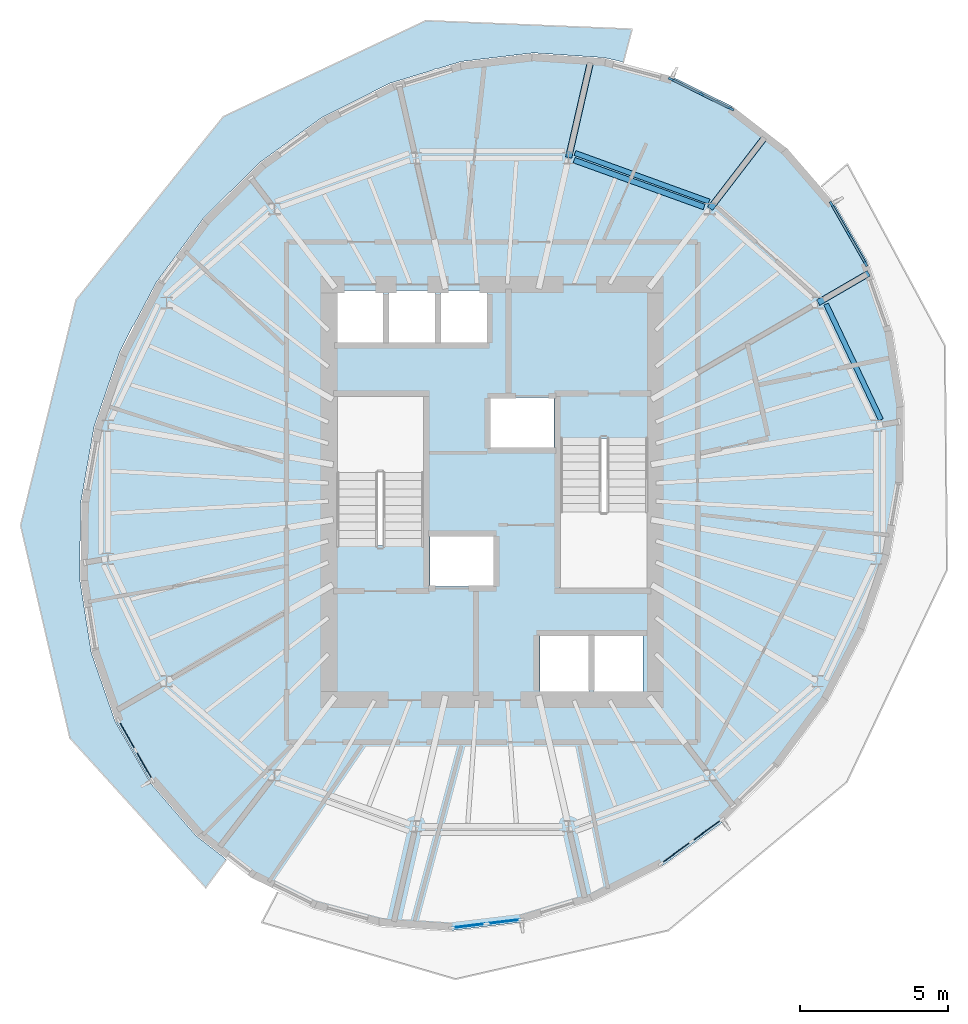
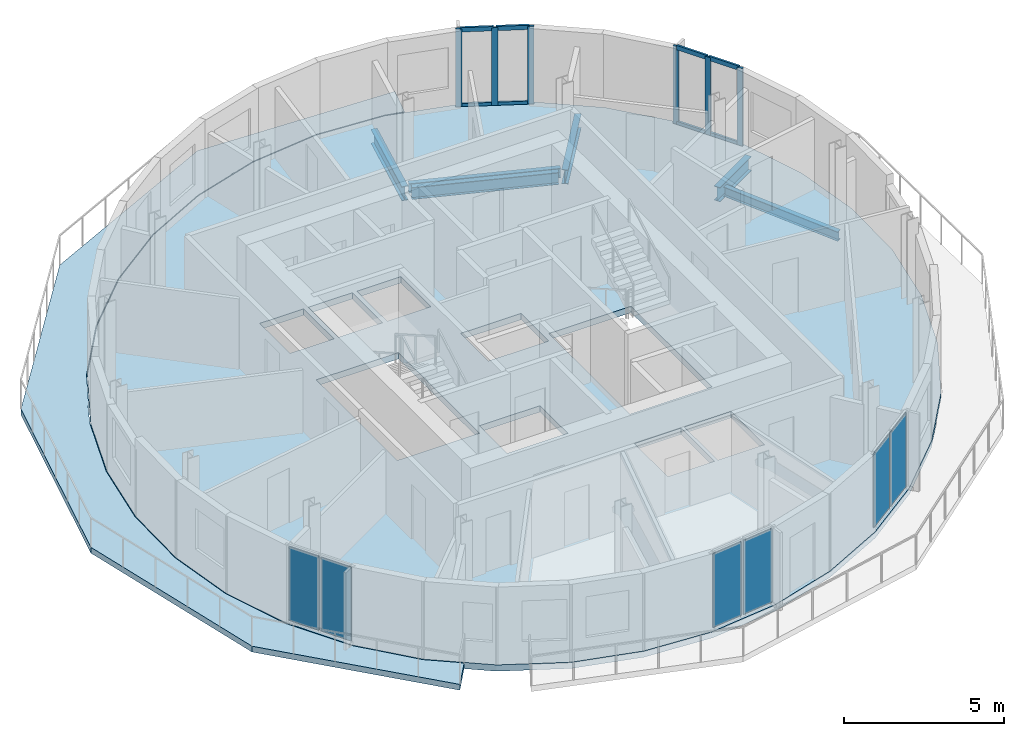
# One storey, part 3 of 9: 14 members, 6 beams, 6 plates, 2 slabs, 5 elements without a shape of their own.
"""IFC4 building model written with IfcOpenShell, lengths in metres."""

import ifcopenshell
import ifcopenshell.guid

model = None  # the IFC model being written
_history = None  # IfcOwnerHistory: only IFC2X3 demands one
_inside = {}  # id of a spatial element -> (the spatial element, [elements in it])
_under = {}  # id of a project, library or spatial element -> (it, [spatial elements below it])
_declared = {}  # id of a project -> (the project, [libraries it declares])
_typed = {}  # id of a type object -> (the type object, [elements of that type])
_made_of = {}  # id of a material, layer set ... -> (it, [elements and type objects made of it])


def new_model(schema):
    """Start an empty IFC model of exactly this schema.

    Asked for "IFC4X3", IfcOpenShell would pick the latest addendum, in which some entities
    have other attributes; the version numbers below select the first issue.
    IFC2X3 requires an IfcOwnerHistory on every rooted entity: one is made here for all.
    """
    global model, _history
    if schema == "IFC4X3":
        model = ifcopenshell.file(schema_version=(4, 3, 0, 0))
    else:
        model = ifcopenshell.file(schema=schema)
    _inside.clear()
    _under.clear()
    _declared.clear()
    _typed.clear()
    _made_of.clear()
    _history = None
    if model.schema == "IFC2X3":
        org = make("IfcOrganization", Name="unknown")
        user = make(
            "IfcPersonAndOrganization",
            ThePerson=make("IfcPerson", FamilyName="unknown"),
            TheOrganization=org,
        )
        app = make(
            "IfcApplication",
            ApplicationDeveloper=org,
            Version="unknown",
            ApplicationFullName="unknown",
            ApplicationIdentifier="unknown",
        )
        _history = make(
            "IfcOwnerHistory",
            OwningUser=user,
            OwningApplication=app,
            ChangeAction="ADDED",
            CreationDate=0,
        )
    return model


def make(cls, **values):
    """One entity of the class cls with the attributes given. An attribute that is None is left unset."""
    return model.create_entity(
        cls, **{name: value for name, value in values.items() if value is not None}
    )


def rooted(cls, **values):
    """An entity with a GlobalId (a new one), such as an element, a storey or a relation."""
    return make(cls, GlobalId=ifcopenshell.guid.new(), OwnerHistory=_history, **values)


def si_unit(unit_type, name, prefix=None):
    """IfcSIUnit, for example si_unit("LENGTHUNIT", "METRE", prefix="MILLI")."""
    return make("IfcSIUnit", UnitType=unit_type, Prefix=prefix, Name=name)


def assignment(units):
    """IfcUnitAssignment: the units of a project."""
    return None if units is None else make("IfcUnitAssignment", Units=units)


def point(xyz):
    """IfcCartesianPoint."""
    return None if xyz is None else make("IfcCartesianPoint", Coordinates=xyz)


def direction(xyz):
    """IfcDirection."""
    return None if xyz is None else make("IfcDirection", DirectionRatios=xyz)


def frame(location, z_axis=None, x_axis=None):
    """IfcAxis2Placement3D, a coordinate frame: its origin and axes. An axis left out is left unset."""
    return make(
        "IfcAxis2Placement3D",
        Location=point(location),
        Axis=direction(z_axis),
        RefDirection=direction(x_axis),
    )


def frame_2d(location, x_axis=None):
    """IfcAxis2Placement2D, a coordinate frame in the plane: its origin and x axis."""
    return make(
        "IfcAxis2Placement2D", Location=point(location), RefDirection=direction(x_axis)
    )


def origin():
    """The frame at (0, 0, 0) with its axes left unset."""
    return frame((0.0, 0.0, 0.0))


def origin_2d():
    """The frame at (0, 0) in the plane with its x axis left unset."""
    return frame_2d((0.0, 0.0))


def place(relative_to, where):
    """IfcLocalPlacement: puts the frame where relative to a parent placement (None: the world)."""
    return make(
        "IfcLocalPlacement", PlacementRelTo=relative_to, RelativePlacement=where
    )


def context(
    kind, dimensions, precision=None, world=None, true_north=None, identifier=None
):
    """IfcGeometricRepresentationContext, for example the 3D "Model" context."""
    return make(
        "IfcGeometricRepresentationContext",
        ContextIdentifier=identifier,
        ContextType=kind,
        CoordinateSpaceDimension=dimensions,
        Precision=precision,
        WorldCoordinateSystem=world,
        TrueNorth=true_north,
    )


def subcontext(parent, identifier, kind, view, scale=None):
    """IfcGeometricRepresentationSubContext, for example "Body" below "Model"."""
    return make(
        "IfcGeometricRepresentationSubContext",
        ContextIdentifier=identifier,
        ContextType=kind,
        ParentContext=parent,
        TargetScale=scale,
        TargetView=view,
    )


def project(units=None, contexts=None):
    """IfcProject with its units and contexts."""
    return rooted(
        "IfcProject",
        Name="project",
        RepresentationContexts=contexts,
        UnitsInContext=assignment(units),
    )


def spatial(cls, under=None, at=None, **own):
    """A site, building, storey or space (cls), placed at a placement, below another one or the project."""
    s = rooted(cls, ObjectPlacement=at, **own)
    if under is not None:
        _under.setdefault(under.id(), (under, []))[1].append(s)
    return s


def polyline(points):
    """IfcPolyline through the points."""
    return make("IfcPolyline", Points=[point(p) for p in points])


def profile(cls, at=None, kind="AREA", **sizes):
    """A parametric profile (cls). Its sizes go by their IFC names, for example OverallWidth=200.0."""
    return make(cls, ProfileType=kind, Position=at, **sizes)


def rectangle(**sizes):
    """IfcRectangleProfileDef."""
    return profile("IfcRectangleProfileDef", **sizes)


def i_section(**sizes):
    """IfcIShapeProfileDef."""
    return profile("IfcIShapeProfileDef", **sizes)


def outline(outer, holes=None, kind="AREA"):
    """IfcArbitraryClosedProfileDef: a profile drawn as a closed curve; with holes, ...WithVoids."""
    if holes is None:
        return make("IfcArbitraryClosedProfileDef", ProfileType=kind, OuterCurve=outer)
    return make(
        "IfcArbitraryProfileDefWithVoids",
        ProfileType=kind,
        OuterCurve=outer,
        InnerCurves=holes,
    )


def extrude(swept, where, along, depth):
    """IfcExtrudedAreaSolid: the profile swept, set in the frame where, extruded along a direction by depth."""
    return make(
        "IfcExtrudedAreaSolid",
        SweptArea=swept,
        Position=where,
        ExtrudedDirection=direction(along),
        Depth=depth,
    )


def shape(context_of_items, identifier, shape_type, items):
    """IfcShapeRepresentation: the items that make up one representation, for example the "Body"."""
    return make(
        "IfcShapeRepresentation",
        ContextOfItems=context_of_items,
        RepresentationIdentifier=identifier,
        RepresentationType=shape_type,
        Items=items,
    )


def material(Name=None, Category=None):
    """IfcMaterial."""
    return make("IfcMaterial", Name=Name, Category=Category)


def layer(
    of_material, thickness, ventilated=None, Name=None, Category=None, Priority=None
):
    """IfcMaterialLayer: one layer of a wall or slab, of a material (None: an air gap)."""
    return make(
        "IfcMaterialLayer",
        Material=of_material,
        LayerThickness=thickness,
        IsVentilated=ventilated,
        Name=Name,
        Category=Category,
        Priority=Priority,
    )


def layer_set(layers, Name=None):
    """IfcMaterialLayerSet."""
    return make("IfcMaterialLayerSet", MaterialLayers=layers, LayerSetName=Name)


def material_profile(
    of_material, cross_section, Name=None, Category=None, Priority=None
):
    """IfcMaterialProfile: a cross section and its material."""
    return make(
        "IfcMaterialProfile",
        Name=Name,
        Material=of_material,
        Profile=cross_section,
        Priority=Priority,
        Category=Category,
    )


def profile_set(profiles, Name=None, composite=None):
    """IfcMaterialProfileSet."""
    return make(
        "IfcMaterialProfileSet",
        Name=Name,
        MaterialProfiles=profiles,
        CompositeProfile=composite,
    )


def made_of(thing, what):
    """Note that an element or type object is made of a material, layer set ...; save() writes the relation."""
    if what is not None:
        _made_of.setdefault(what.id(), (what, []))[1].append(thing)
    return thing


def type_object(cls, material=None, **own):
    """A type object (cls), such as IfcWallType, which elements share."""
    return made_of(rooted(cls, **own), material)


def element(
    cls,
    number,
    at=None,
    inside=None,
    cuts=None,
    type_object=None,
    material=None,
    context=None,
    identifier="Body",
    shape_type=None,
    held_by="IfcProductDefinitionShape",
    body=None,
    shapes=None,
    **own,
):
    """One element of the class cls, such as IfcWall. Its Tag is "e" and its number.

    at: its placement. inside: the storey or other place that contains it. cuts: it is an
    opening in that element (IfcRelVoidsElement). A single representation is given by context,
    identifier, shape_type and body (its items); several are given by shapes. held_by: the class
    of the entity that holds the representations. save() writes the other relations.
    """
    e = rooted(cls, Tag="e%d" % number, ObjectPlacement=at, **own)
    if body is not None:
        shapes = [shape(context, identifier, shape_type, body)]
    if shapes is not None:
        e.Representation = make(held_by, Representations=shapes)
    if inside is not None:
        _inside.setdefault(inside.id(), (inside, []))[1].append(e)
    if cuts is not None:
        rooted(
            "IfcRelVoidsElement", RelatingBuildingElement=cuts, RelatedOpeningElement=e
        )
    if type_object is not None:
        _typed.setdefault(type_object.id(), (type_object, []))[1].append(e)
    return made_of(e, material)


def aggregate(whole, parts):
    """IfcRelAggregates: a whole, such as a stair, and the parts it consists of."""
    return rooted("IfcRelAggregates", RelatingObject=whole, RelatedObjects=parts)


def save(model, path):
    """Write the relations noted so far, then the file.

    IfcRelAggregates (storeys below a building ...), IfcRelContainedInSpatialStructure (elements
    in a storey), IfcRelDefinesByType, IfcRelAssociatesMaterial and IfcRelDeclares: one each for
    every whole, place, type object, material and project.
    """
    for whole, parts in _under.values():
        aggregate(whole, parts)
    for where, things in _inside.values():
        rooted(
            "IfcRelContainedInSpatialStructure",
            RelatedElements=things,
            RelatingStructure=where,
        )
    for kind, things in _typed.values():
        rooted("IfcRelDefinesByType", RelatedObjects=things, RelatingType=kind)
    for what, things in _made_of.values():
        rooted("IfcRelAssociatesMaterial", RelatedObjects=things, RelatingMaterial=what)
    for by, libraries in _declared.values():
        rooted("IfcRelDeclares", RelatingContext=by, RelatedDefinitions=libraries)
    model.write(path)


model = new_model("IFC4")

# Units and contexts
model_context = context("Model", 3, precision=1e-05, world=origin(), true_north=direction((0.0, 1.0)))
body_context = subcontext(model_context, "Body", "Model", "MODEL_VIEW")
ifc_project = project(units=[si_unit("LENGTHUNIT", "METRE"), si_unit("AREAUNIT", "SQUARE_METRE"), si_unit("VOLUMEUNIT", "CUBIC_METRE"), si_unit("PLANEANGLEUNIT", "RADIAN"), si_unit("MASSUNIT", "GRAM", prefix="KILO")], contexts=[model_context])

# Site, building, storey
site_placement = place(None, origin())
site = spatial("IfcSite", under=ifc_project, at=site_placement, CompositionType="ELEMENT")
building_placement = place(site_placement, origin())
building = spatial("IfcBuilding", under=site, at=building_placement, Name="Veldorim Arch Residences", CompositionType="ELEMENT")
storey_placement = place(building_placement, frame((0.0, 0.0, 230.239990234375)))
storey = spatial("IfcBuildingStorey", under=building, at=storey_placement, Name="L69", CompositionType="ELEMENT", Elevation=230.239990234375)

# Beams
ifc_material_1 = material(Name="Steel S355", Category="steel")
ifc_material_profile_1 = material_profile(ifc_material_1, i_section(OverallWidth=0.2119140625, OverallDepth=0.54443359375, WebThickness=0.0126953125, FlangeThickness=0.021240234375, at=origin_2d()), Name="UB533x210x122")
ifc_profile_set_1 = profile_set([ifc_material_profile_1], Name="Steel S355")
beam_type_1 = type_object("IfcBeamType", Name="Structural Steel Beam UB533x210x122", PredefinedType="BEAM", material=ifc_profile_set_1)
beam_1_placement = place(storey_placement, frame((42.99267578125, 30.387939453125, -0.51220703125), z_axis=(0.864644868068, 0.502383570714, 0.0), x_axis=(-0.502383570714, 0.864644868068, 0.0)))
element("IfcBeam", 1, at=beam_1_placement, inside=storey, type_object=beam_type_1, Name="L69 radial edge cantilever girder 02", PredefinedType="BEAM", context=body_context, shape_type="SweptSolid", body=[
    extrude(i_section(OverallWidth=0.2119140625, OverallDepth=0.54443359375, WebThickness=0.0126953125, FlangeThickness=0.021240234375, at=origin_2d()), origin(), (0.0, 0.0, 1.0), 1.970703125),
])
beam_2_placement = place(storey_placement, frame((39.345703125, 33.561279296875, -0.51220703125), z_axis=(0.609263326719, 0.792967968278, 0.0), x_axis=(-0.792967968278, 0.609263326719, 0.0)))
element("IfcBeam", 2, at=beam_2_placement, inside=storey, type_object=beam_type_1, Name="L69 radial edge cantilever girder 03", PredefinedType="BEAM", context=body_context, shape_type="SweptSolid", body=[
    extrude(i_section(OverallWidth=0.2119140625, OverallDepth=0.54443359375, WebThickness=0.0126953125, FlangeThickness=0.021240234375, at=origin_2d()), origin(), (0.0, 0.0, 1.0), 3.0859375),
])
beam_3_placement = place(storey_placement, frame((34.57958984375, 35.27880859375, -0.51220703125), z_axis=(0.222994562623, 0.974819688476, 0.0), x_axis=(-0.974819688476, 0.222994562623, 0.0)))
element("IfcBeam", 3, at=beam_3_placement, inside=storey, type_object=beam_type_1, Name="L69 radial edge cantilever girder 04", PredefinedType="BEAM", context=body_context, shape_type="SweptSolid", body=[
    extrude(i_section(OverallWidth=0.2119140625, OverallDepth=0.54443359375, WebThickness=0.0126953125, FlangeThickness=0.021240234375, at=origin_2d()), origin(), (0.0, 0.0, 1.0), 3.280029296875),
])
ifc_material_2 = material(Name="Steel S355", Category="steel")
ifc_material_profile_2 = material_profile(ifc_material_2, i_section(OverallWidth=0.172119140625, OverallDepth=0.35791015625, WebThickness=0.008056640625, FlangeThickness=0.012939453125, at=origin_2d()), Name="UB356x171x57")
ifc_profile_set_2 = profile_set([ifc_material_profile_2], Name="Steel S355")
beam_type_2 = type_object("IfcBeamType", Name="Structural Steel Spandrel UB356x171x57", PredefinedType="SPANDREL", material=ifc_profile_set_2)
beam_4_placement = place(storey_placement, frame((45.107666015625, 26.439208984375, -0.43896484375), z_axis=(-0.428453398876, 0.903563879862, 0.0), x_axis=(-0.903563879862, -0.428453398876, 0.0)))
element("IfcBeam", 4, at=beam_4_placement, inside=storey, type_object=beam_type_2, Name="L69 perimeter chord spandrel beam 01", PredefinedType="SPANDREL", context=body_context, shape_type="SweptSolid", body=[
    extrude(i_section(OverallWidth=0.172119140625, OverallDepth=0.35791015625, WebThickness=0.008056640625, FlangeThickness=0.012939453125, at=origin_2d()), origin(), (0.0, 0.0, 1.0), 4.31689453125),
])
beam_5_placement = place(storey_placement, frame((39.314697265625, 33.79541015625, -0.43896484375), z_axis=(-0.940181197783, 0.340674794099, 0.0), x_axis=(-0.340674794099, -0.940181197783, 0.0)))
element("IfcBeam", 5, at=beam_5_placement, inside=storey, type_object=beam_type_2, Name="L69 perimeter chord spandrel beam 03", PredefinedType="SPANDREL", context=body_context, shape_type="SweptSolid", body=[
    extrude(i_section(OverallWidth=0.172119140625, OverallDepth=0.35791015625, WebThickness=0.008056640625, FlangeThickness=0.012939453125, at=origin_2d()), origin(), (0.0, 0.0, 1.0), 4.80859375),
])
ifc_material_3 = material(Name="Steel S355", Category="steel")
ifc_material_profile_3 = material_profile(ifc_material_3, i_section(OverallWidth=0.19140625, OverallDepth=0.4599609375, WebThickness=0.010009765625, FlangeThickness=0.01611328125, at=origin_2d()), Name="UB457x191x82")
ifc_profile_set_3 = profile_set([ifc_material_profile_3], Name="Steel S355")
beam_type_3 = type_object("IfcBeamType", Name="Structural Steel Spandrel UB457x191x82", PredefinedType="SPANDREL", material=ifc_profile_set_3)
beam_6_placement = place(storey_placement, frame((39.145751953125, 33.61279296875, -0.469970703125), z_axis=(-0.940799194754, 0.338964415757, 0.0), x_axis=(-0.338964415757, -0.940799194754, 0.0)))
element("IfcBeam", 6, at=beam_6_placement, inside=storey, type_object=beam_type_3, Name="L69 perimeter ring tie beam 03", PredefinedType="SPANDREL", context=body_context, shape_type="SweptSolid", body=[
    extrude(i_section(OverallWidth=0.19140625, OverallDepth=0.4599609375, WebThickness=0.010009765625, FlangeThickness=0.01611328125, at=origin_2d()), origin(), (0.0, 0.0, 1.0), 4.65869140625),
])

# Curtain wall, members
ifc_material_4 = material(Name="Aluminium", Category="aluminium")
curtain_wall_type = type_object("IfcCurtainWallType", Name="Zone 4 High-Altitude Unitised Curtain Wall", PredefinedType="NOTDEFINED", material=ifc_material_4)
curtain_wall_1_placement = place(storey_placement, origin())
curtain_wall_1 = element("IfcCurtainWall", 7, at=curtain_wall_1_placement, inside=storey, type_object=curtain_wall_type, Name="L69 unitised curtain wall bay 01", PredefinedType="NOTDEFINED")
ifc_material_5 = material(Name="Aluminium", Category="aluminium")
ifc_material_profile_4 = material_profile(ifc_material_5, rectangle(XDim=0.074951171875, YDim=0.195068359375, at=origin_2d()), Name="ALU_MUL_75x195")
ifc_profile_set_4 = profile_set([ifc_material_profile_4], Name="Aluminium")
member_type_1 = type_object("IfcMemberType", Name="Zone 4 High-Altitude Unitised Curtain Wall Mullion 75x195", PredefinedType="MULLION", material=ifc_profile_set_4)
member_1_placement = place(storey_placement, frame((38.037109375, 37.9189453125, 0.0), z_axis=(0.0, 0.0, 1.0), x_axis=(0.442992925285, 0.896525107372, 0.0)))
member_1 = element("IfcMember", 8, at=member_1_placement, type_object=member_type_1, Name="CW-Z4 mullion 1", PredefinedType="MULLION", context=body_context, shape_type="SweptSolid", body=[
    extrude(rectangle(XDim=0.074951171875, YDim=0.195068359375, at=origin_2d()), origin(), (0.0, 0.0, 1.0), 2.9599609375),
])
member_2_placement = place(storey_placement, frame((39.04541015625, 37.420654296875, 0.0), z_axis=(0.0, 0.0, 1.0), x_axis=(0.442992925285, 0.896525107372, 0.0)))
member_2 = element("IfcMember", 9, at=member_2_placement, type_object=member_type_1, Name="CW-Z4 mullion 2", PredefinedType="MULLION", context=body_context, shape_type="SweptSolid", body=[
    extrude(rectangle(XDim=0.074951171875, YDim=0.195068359375, at=origin_2d()), origin(), (0.0, 0.0, 1.0), 2.9599609375),
])
member_3_placement = place(storey_placement, frame((40.053955078125, 36.92236328125, 0.0), z_axis=(0.0, 0.0, 1.0), x_axis=(0.442992925285, 0.896525107372, 0.0)))
member_3 = element("IfcMember", 10, at=member_3_placement, type_object=member_type_1, Name="CW-Z4 mullion 3", PredefinedType="MULLION", context=body_context, shape_type="SweptSolid", body=[
    extrude(rectangle(XDim=0.074951171875, YDim=0.195068359375, at=origin_2d()), origin(), (0.0, 0.0, 1.0), 2.9599609375),
])

curtain_wall_2_placement = place(storey_placement, origin())
curtain_wall_2 = element("IfcCurtainWall", 11, at=curtain_wall_2_placement, inside=storey, type_object=curtain_wall_type, Name="L69 unitised curtain wall bay 34", PredefinedType="NOTDEFINED")
member_4_placement = place(storey_placement, frame((43.439697265625, 33.709228515625, 0.0), z_axis=(0.0, 0.0, 1.0), x_axis=(0.868165815249, 0.496274235915, 0.0)))
member_4 = element("IfcMember", 12, at=member_4_placement, type_object=member_type_1, Name="CW-Z4 mullion 1", PredefinedType="MULLION", context=body_context, shape_type="SweptSolid", body=[
    extrude(rectangle(XDim=0.074951171875, YDim=0.195068359375, at=origin_2d()), origin(), (0.0, 0.0, 1.0), 2.9599609375),
])
member_5_placement = place(storey_placement, frame((44.013427734375, 32.705078125, 0.0), z_axis=(0.0, 0.0, 1.0), x_axis=(0.868165815249, 0.496274235915, 0.0)))
member_5 = element("IfcMember", 13, at=member_5_placement, type_object=member_type_1, Name="CW-Z4 mullion 2", PredefinedType="MULLION", context=body_context, shape_type="SweptSolid", body=[
    extrude(rectangle(XDim=0.074951171875, YDim=0.195068359375, at=origin_2d()), origin(), (0.0, 0.0, 1.0), 2.9599609375),
])
member_6_placement = place(storey_placement, frame((44.58740234375, 31.701171875, 0.0), z_axis=(0.0, 0.0, 1.0), x_axis=(0.868165815249, 0.496274235915, 0.0)))
member_6 = element("IfcMember", 14, at=member_6_placement, type_object=member_type_1, Name="CW-Z4 mullion 3", PredefinedType="MULLION", context=body_context, shape_type="SweptSolid", body=[
    extrude(rectangle(XDim=0.074951171875, YDim=0.195068359375, at=origin_2d()), origin(), (0.0, 0.0, 1.0), 2.9599609375),
])

# Member
ifc_material_6 = material(Name="Aluminium", Category="aluminium")
ifc_material_profile_5 = material_profile(ifc_material_6, rectangle(XDim=0.074951171875, YDim=0.1650390625, at=origin_2d()), Name="ALU_TRN_75x165")
ifc_profile_set_5 = profile_set([ifc_material_profile_5], Name="Aluminium")
member_type_2 = type_object("IfcMemberType", Name="Zone 4 High-Altitude Unitised Curtain Wall Transom 75x165", PredefinedType="USERDEFINED", material=ifc_profile_set_5)
member_7_placement = place(storey_placement, frame((38.070556640625, 37.90234375, 0.03759765625), z_axis=(0.896510415752, -0.443022656811, 0.0), x_axis=(0.443022656811, 0.896510415752, 0.0)))
member_7 = element("IfcMember", 15, at=member_7_placement, type_object=member_type_2, Name="CW-Z4 transom 1.1", ObjectType="TRANSOM", PredefinedType="USERDEFINED", context=body_context, shape_type="SweptSolid", body=[
    extrude(rectangle(XDim=0.074951171875, YDim=0.1650390625, at=origin_2d()), origin(), (0.0, 0.0, 1.0), 1.0498046875),
])

member_8_placement = place(storey_placement, frame((38.070556640625, 37.90234375, 2.922607421875), z_axis=(0.896510415752, -0.443022656811, 0.0), x_axis=(0.443022656811, 0.896510415752, 0.0)))
member_8 = element("IfcMember", 16, at=member_8_placement, type_object=member_type_2, Name="CW-Z4 transom 1.2", ObjectType="TRANSOM", PredefinedType="USERDEFINED", context=body_context, shape_type="SweptSolid", body=[
    extrude(rectangle(XDim=0.074951171875, YDim=0.1650390625, at=origin_2d()), origin(), (0.0, 0.0, 1.0), 1.0498046875),
])

member_9_placement = place(storey_placement, frame((39.0791015625, 37.404052734375, 0.03759765625), z_axis=(0.896510415752, -0.443022656811, 0.0), x_axis=(0.443022656811, 0.896510415752, 0.0)))
member_9 = element("IfcMember", 17, at=member_9_placement, type_object=member_type_2, Name="CW-Z4 transom 2.1", ObjectType="TRANSOM", PredefinedType="USERDEFINED", context=body_context, shape_type="SweptSolid", body=[
    extrude(rectangle(XDim=0.074951171875, YDim=0.1650390625, at=origin_2d()), origin(), (0.0, 0.0, 1.0), 1.0498046875),
])

member_10_placement = place(storey_placement, frame((39.0791015625, 37.404052734375, 2.922607421875), z_axis=(0.896510415752, -0.443022656811, 0.0), x_axis=(0.443022656811, 0.896510415752, 0.0)))
member_10 = element("IfcMember", 18, at=member_10_placement, type_object=member_type_2, Name="CW-Z4 transom 2.2", ObjectType="TRANSOM", PredefinedType="USERDEFINED", context=body_context, shape_type="SweptSolid", body=[
    extrude(rectangle(XDim=0.074951171875, YDim=0.1650390625, at=origin_2d()), origin(), (0.0, 0.0, 1.0), 1.0498046875),
])

aggregate(curtain_wall_1, [member_1, member_2, member_3, member_7, member_8, member_9, member_10])

member_11_placement = place(storey_placement, frame((43.458251953125, 33.676513671875, 0.03759765625), z_axis=(0.496284825961, -0.868159761519, 0.0), x_axis=(0.868159761519, 0.496284825961, 0.0)))
member_11 = element("IfcMember", 19, at=member_11_placement, type_object=member_type_2, Name="CW-Z4 transom 1.1", ObjectType="TRANSOM", PredefinedType="USERDEFINED", context=body_context, shape_type="SweptSolid", body=[
    extrude(rectangle(XDim=0.074951171875, YDim=0.1650390625, at=origin_2d()), origin(), (0.0, 0.0, 1.0), 1.081298828125),
])

member_12_placement = place(storey_placement, frame((43.458251953125, 33.676513671875, 2.922607421875), z_axis=(0.496284825961, -0.868159761519, 0.0), x_axis=(0.868159761519, 0.496284825961, 0.0)))
member_12 = element("IfcMember", 20, at=member_12_placement, type_object=member_type_2, Name="CW-Z4 transom 1.2", ObjectType="TRANSOM", PredefinedType="USERDEFINED", context=body_context, shape_type="SweptSolid", body=[
    extrude(rectangle(XDim=0.074951171875, YDim=0.1650390625, at=origin_2d()), origin(), (0.0, 0.0, 1.0), 1.081298828125),
])

member_13_placement = place(storey_placement, frame((44.0322265625, 32.672607421875, 0.03759765625), z_axis=(0.496284825961, -0.868159761519, 0.0), x_axis=(0.868159761519, 0.496284825961, 0.0)))
member_13 = element("IfcMember", 21, at=member_13_placement, type_object=member_type_2, Name="CW-Z4 transom 2.1", ObjectType="TRANSOM", PredefinedType="USERDEFINED", context=body_context, shape_type="SweptSolid", body=[
    extrude(rectangle(XDim=0.074951171875, YDim=0.1650390625, at=origin_2d()), origin(), (0.0, 0.0, 1.0), 1.081298828125),
])

member_14_placement = place(storey_placement, frame((44.0322265625, 32.672607421875, 2.922607421875), z_axis=(0.496284825961, -0.868159761519, 0.0), x_axis=(0.868159761519, 0.496284825961, 0.0)))
member_14 = element("IfcMember", 22, at=member_14_placement, type_object=member_type_2, Name="CW-Z4 transom 2.2", ObjectType="TRANSOM", PredefinedType="USERDEFINED", context=body_context, shape_type="SweptSolid", body=[
    extrude(rectangle(XDim=0.074951171875, YDim=0.1650390625, at=origin_2d()), origin(), (0.0, 0.0, 1.0), 1.081298828125),
])

aggregate(curtain_wall_2, [member_4, member_5, member_6, member_11, member_12, member_13, member_14])

# Slabs
ifc_material_7 = material(Name="Concrete C40/50", Category="concrete")
ifc_layer_1 = layer(ifc_material_7, 0.219970703125, Name="Planted Crescent Cantilever Balcony Slab 220")
ifc_layer_set_1 = layer_set([ifc_layer_1], Name="Concrete C40/50")
slab_type_1 = type_object("IfcSlabType", Name="Planted Crescent Cantilever Balcony Slab 220", PredefinedType="FLOOR", material=ifc_layer_set_1)
slab_1_placement = place(storey_placement, frame((0.0, 0.0, -0.219970703125)))
element("IfcSlab", 23, at=slab_1_placement, inside=storey, type_object=slab_type_1, Name="L69 planted crescent balcony slab A", PredefinedType="FLOOR", context=body_context, shape_type="SweptSolid", body=[
    extrude(outline(polyline([(36.424072265625, 38.49560546875), (35.779541015625, 38.64501953125), (33.392333984375, 38.804931640625), (30.962890625, 38.514892578125), (30.1943359375, 38.280517578125), (30.098388671875, 38.27734375), (29.9873046875, 38.217529296875), (28.5654296875, 37.783935546875), (26.2724609375, 36.63427734375), (24.1533203125, 35.10107421875), (22.272705078125, 33.23046875), (20.6875, 31.07958984375), (19.9482421875, 29.6708984375), (19.873046875, 29.574462890625), (19.4462890625, 28.7138671875), (18.585693359375, 26.204833984375), (18.1328125, 23.62890625), (18.101318359375, 21.06396484375), (18.491943359375, 18.587890625), (19.29296875, 16.276123046875), (20.48046875, 14.19921875), (22.01806640625, 12.419677734375), (22.94970703125, 11.697509765625), (23.0302734375, 11.593994140625), (22.34716796875, 10.6689453125), (17.771484375, 15.711181640625), (16.109619140625, 22.878173828125), (17.97998046875, 30.48291015625), (22.940673828125, 36.65576171875), (29.76806640625, 39.8916015625), (36.718505859375, 39.607177734375), (36.424072265625, 38.49560546875)])), origin(), (0.0, 0.0, 1.0), 0.219970703125),
])
ifc_material_8 = material(Name="Concrete C40/50", Category="concrete")
ifc_layer_2 = layer(ifc_material_8, 0.239990234375, Name="Typical Residential Floor Slab 240")
ifc_layer_set_2 = layer_set([ifc_layer_2], Name="Concrete C40/50")
slab_type_2 = type_object("IfcSlabType", Name="Typical Residential Floor Slab 240", PredefinedType="FLOOR", material=ifc_layer_set_2)
slab_2_placement = place(storey_placement, frame((0.0, 0.0, -0.239990234375)))
element("IfcSlab", 24, at=slab_2_placement, inside=storey, type_object=slab_type_2, Name="L69 tower structural floor slab", PredefinedType="FLOOR", context=body_context, shape_type="SweptSolid", body=[
    extrude(outline(polyline([(40.12744140625, 36.986328125), (38.043212890625, 38.01611328125), (35.775390625, 38.6201171875), (33.39306640625, 38.77978515625), (30.96826171875, 38.490478515625), (28.57470703125, 37.7607421875), (26.285400390625, 36.61279296875), (24.169677734375, 35.081787109375), (22.291748046875, 33.214111328125), (20.708984375, 31.06640625), (19.46923828125, 28.7041015625), (18.610107421875, 26.198486328125), (18.157958984375, 23.62646484375), (18.126220703125, 21.065673828125), (18.516357421875, 18.593994140625), (19.31591796875, 16.28662109375), (20.5009765625, 14.213623046875), (22.035400390625, 12.43798828125), (23.87255859375, 11.013671875), (25.956787109375, 9.98388671875), (28.224609375, 9.3798828125), (30.60693359375, 9.22021484375), (33.03173828125, 9.509521484375), (35.42529296875, 10.2392578125), (37.714599609375, 11.38720703125), (39.830322265625, 12.918212890625), (41.708251953125, 14.785888671875), (43.291015625, 16.93359375), (44.53076171875, 19.2958984375), (45.389892578125, 21.801513671875), (45.842041015625, 24.37353515625), (45.873779296875, 26.934326171875), (45.483642578125, 29.406005859375), (44.68408203125, 31.71337890625), (43.4990234375, 33.786376953125), (41.964599609375, 35.56201171875), (40.12744140625, 36.986328125)]), holes=[polyline([(33.610107421875, 17.2099609375), (33.610107421875, 19.2900390625), (35.2900390625, 19.2900390625), (35.2900390625, 17.2099609375), (33.610107421875, 17.2099609375)]), polyline([(35.409912109375, 17.2099609375), (35.409912109375, 19.2900390625), (37.090087890625, 19.2900390625), (37.090087890625, 17.2099609375), (35.409912109375, 17.2099609375)]), polyline([(29.909912109375, 20.81494140625), (29.909912109375, 22.544921875), (32.090087890625, 22.544921875), (32.090087890625, 20.81494140625), (29.909912109375, 20.81494140625)]), polyline([(34.2900390625, 20.75), (34.2900390625, 25.804931640625), (37.25, 25.804931640625), (37.25, 20.75), (34.2900390625, 20.75)]), polyline([(26.75, 22.195068359375), (26.75, 27.25), (29.7099609375, 27.25), (29.7099609375, 22.195068359375), (26.75, 22.195068359375)]), polyline([(31.909912109375, 25.455078125), (31.909912109375, 27.18505859375), (34.090087890625, 27.18505859375), (34.090087890625, 25.455078125), (31.909912109375, 25.455078125)]), polyline([(26.760009765625, 28.909912109375), (26.760009765625, 30.7900390625), (28.340087890625, 30.7900390625), (28.340087890625, 28.909912109375), (26.760009765625, 28.909912109375)]), polyline([(28.510009765625, 30.7900390625), (30.090087890625, 30.7900390625), (30.090087890625, 28.909912109375), (28.510009765625, 28.909912109375), (28.510009765625, 30.7900390625)]), polyline([(30.260009765625, 30.7900390625), (31.840087890625, 30.7900390625), (31.840087890625, 28.909912109375), (30.260009765625, 28.909912109375), (30.260009765625, 30.7900390625)])]), origin(), (0.0, 0.0, 1.0), 0.239990234375),
])

# Curtain wall, plates
curtain_wall_3_placement = place(storey_placement, origin())
curtain_wall_3 = element("IfcCurtainWall", 25, at=curtain_wall_3_placement, inside=storey, type_object=curtain_wall_type, Name="L69 unitised curtain wall bay 16", PredefinedType="NOTDEFINED")
ifc_material_9 = material(Name="Laminated Low-E Glass", Category="glass")
ifc_layer_3 = layer(ifc_material_9, 0.030029296875, Name="Zone 4 High-Altitude Unitised Curtain Wall Glazing Panel 30")
ifc_layer_set_3 = layer_set([ifc_layer_3], Name="Laminated Low-E Glass")
plate_type = type_object("IfcPlateType", Name="Zone 4 High-Altitude Unitised Curtain Wall Glazing Panel 30", PredefinedType="CURTAIN_PANEL", material=ifc_layer_set_3)
plate_1_placement = place(storey_placement, frame((20.2734375, 14.792724609375, 0.074951171875), z_axis=(0.0, 0.0, 1.0), x_axis=(-0.496274235915, 0.868165815249, 0.0)))
plate_1 = element("IfcPlate", 26, at=plate_1_placement, type_object=plate_type, Name="CW-Z4 panel 1.1", PredefinedType="CURTAIN_PANEL", context=body_context, shape_type="SweptSolid", body=[
    extrude(rectangle(XDim=1.081298828125, YDim=0.030029296875, at=origin_2d()), origin(), (0.0, 0.0, 1.0), 2.81005859375),
])
plate_2_placement = place(storey_placement, frame((19.699462890625, 15.796875, 0.074951171875), z_axis=(0.0, 0.0, 1.0), x_axis=(-0.496274235915, 0.868165815249, 0.0)))
plate_2 = element("IfcPlate", 27, at=plate_2_placement, type_object=plate_type, Name="CW-Z4 panel 2.1", PredefinedType="CURTAIN_PANEL", context=body_context, shape_type="SweptSolid", body=[
    extrude(rectangle(XDim=1.081298828125, YDim=0.030029296875, at=origin_2d()), origin(), (0.0, 0.0, 1.0), 2.81005859375),
])
aggregate(curtain_wall_3, [plate_1, plate_2])

curtain_wall_4_placement = place(storey_placement, origin())
curtain_wall_4 = element("IfcCurtainWall", 28, at=curtain_wall_4_placement, inside=storey, type_object=curtain_wall_type, Name="L69 unitised curtain wall bay 22", PredefinedType="NOTDEFINED")
plate_3_placement = place(storey_placement, frame((32.396240234375, 9.5244140625, 0.074951171875), z_axis=(0.0, 0.0, 1.0), x_axis=(-0.992952979721, -0.11850898727, 0.0)))
plate_3 = element("IfcPlate", 29, at=plate_3_placement, type_object=plate_type, Name="CW-Z4 panel 1.1", PredefinedType="CURTAIN_PANEL", context=body_context, shape_type="SweptSolid", body=[
    extrude(rectangle(XDim=1.1083984375, YDim=0.030029296875, at=origin_2d()), origin(), (0.0, 0.0, 1.0), 2.81005859375),
])
plate_4_placement = place(storey_placement, frame((31.22119140625, 9.38427734375, 0.074951171875), z_axis=(0.0, 0.0, 1.0), x_axis=(-0.992952979721, -0.11850898727, 0.0)))
plate_4 = element("IfcPlate", 30, at=plate_4_placement, type_object=plate_type, Name="CW-Z4 panel 2.1", PredefinedType="CURTAIN_PANEL", context=body_context, shape_type="SweptSolid", body=[
    extrude(rectangle(XDim=1.1083984375, YDim=0.030029296875, at=origin_2d()), origin(), (0.0, 0.0, 1.0), 2.81005859375),
])
aggregate(curtain_wall_4, [plate_3, plate_4])

curtain_wall_5_placement = place(storey_placement, origin())
curtain_wall_5 = element("IfcCurtainWall", 31, at=curtain_wall_5_placement, inside=storey, type_object=curtain_wall_type, Name="L69 unitised curtain wall bay 25", PredefinedType="NOTDEFINED")
plate_5_placement = place(storey_placement, frame((39.2333984375, 12.59716796875, 0.074951171875), z_axis=(0.0, 0.0, 1.0), x_axis=(-0.810147800363, -0.586225674606, 0.0)))
plate_5 = element("IfcPlate", 32, at=plate_5_placement, type_object=plate_type, Name="CW-Z4 panel 1.1", PredefinedType="CURTAIN_PANEL", context=body_context, shape_type="SweptSolid", body=[
    extrude(rectangle(XDim=1.193359375, YDim=0.030029296875, at=origin_2d()), origin(), (0.0, 0.0, 1.0), 2.81005859375),
])
plate_6_placement = place(storey_placement, frame((38.2060546875, 11.853759765625, 0.074951171875), z_axis=(0.0, 0.0, 1.0), x_axis=(-0.810147800363, -0.586225674606, 0.0)))
plate_6 = element("IfcPlate", 33, at=plate_6_placement, type_object=plate_type, Name="CW-Z4 panel 2.1", PredefinedType="CURTAIN_PANEL", context=body_context, shape_type="SweptSolid", body=[
    extrude(rectangle(XDim=1.193359375, YDim=0.030029296875, at=origin_2d()), origin(), (0.0, 0.0, 1.0), 2.81005859375),
])
aggregate(curtain_wall_5, [plate_5, plate_6])

save(model, "model.ifc")
